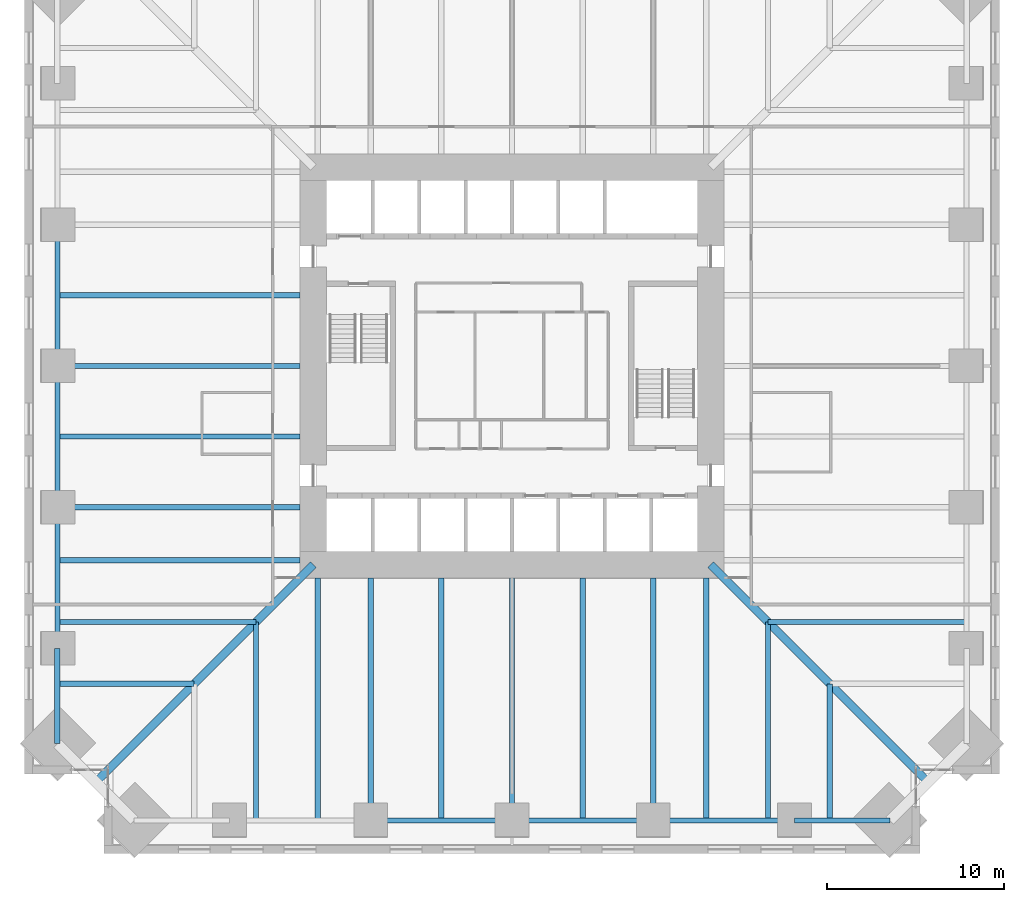
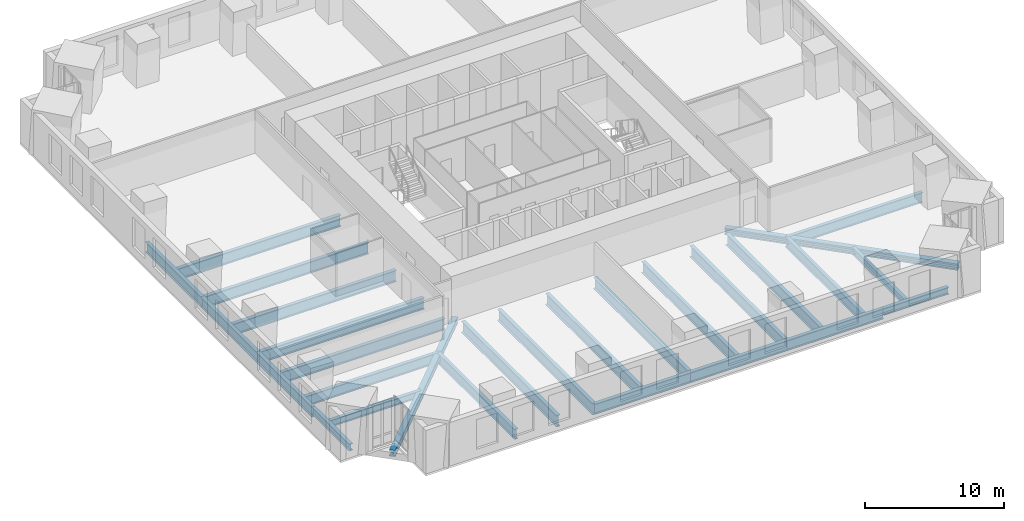
# One storey, part 3 of 16: 28 beams.
"""IFC4 building model written with IfcOpenShell, lengths in metres."""

from ifc_helpers import new_model, si_unit, direction, frame, origin, origin_2d, place, context, subcontext, project, spatial, i_section, extrude, material, material_profile, profile_set, type_object, element, save


model = new_model("IFC4")

# Units and contexts
model_context = context("Model", 3, precision=1e-05, world=origin(), true_north=direction((0.0, 1.0)))
body_context = subcontext(model_context, "Body", "Model", "MODEL_VIEW")
ifc_project = project(units=[si_unit("LENGTHUNIT", "METRE"), si_unit("AREAUNIT", "SQUARE_METRE"), si_unit("VOLUMEUNIT", "CUBIC_METRE"), si_unit("PLANEANGLEUNIT", "RADIAN"), si_unit("MASSUNIT", "GRAM", prefix="KILO")], contexts=[model_context])

# Site, building, storey
site_placement = place(None, origin())
site = spatial("IfcSite", under=ifc_project, at=site_placement, CompositionType="ELEMENT")
building_placement = place(site_placement, origin())
building = spatial("IfcBuilding", under=site, at=building_placement, Name="Peilmerk Tower", CompositionType="ELEMENT")
storey_placement = place(building_placement, frame((0.0, 0.0, 127.800048828125)))
storey = spatial("IfcBuildingStorey", under=building, at=storey_placement, Name="L25", CompositionType="ELEMENT", Elevation=127.800048828125)

# Beams
ifc_material_1 = material(Name="Steel S355", Category="steel")
ifc_material_profile_1 = material_profile(ifc_material_1, i_section(OverallWidth=0.302001953125, OverallDepth=0.909912109375, WebThickness=0.02099609375, FlangeThickness=0.0400390625, at=origin_2d()), Name="HEM 900")
ifc_profile_set_1 = profile_set([ifc_material_profile_1], Name="Steel S355")
beam_type_1 = type_object("IfcBeamType", Name="B2 HEM 900 edge beam", PredefinedType="SPANDREL", material=ifc_profile_set_1)
for number, where, z_axis, x_axis, name in (
    (1, (-8.0, -25.74365234375, -0.625), (1.0, 0.0, 0.0), (0.0, 1.0, 0.0), "Edge beam L25"),
    (2, (0.0, -25.74365234375, -0.625), (1.0, 0.0, 0.0), (0.0, 1.0, 0.0), "Edge beam L25"),
    (3, (8.0, -25.74365234375, -0.625), (1.0, 0.0, 0.0), (0.0, 1.0, 0.0), "Edge beam L25"),
    (4, (-25.74365234375, 8.0, -0.625), (0.0, -1.0, 0.0), (1.0, 0.0, 0.0), "Edge beam L25"),
    (5, (-25.74365234375, 0.0, -0.625), (0.0, -1.0, 0.0), (1.0, 0.0, 0.0), "Edge beam L25"),
    (6, (-25.74365234375, -8.0, -0.625), (0.0, -1.0, 0.0), (1.0, 0.0, 0.0), "Edge beam L25"),
):
    element("IfcBeam", number, at=place(storey_placement, frame(where, z_axis=z_axis, x_axis=x_axis)), inside=storey, type_object=beam_type_1, Name=name, PredefinedType="SPANDREL", context=body_context, shape_type="SweptSolid", body=[
        extrude(i_section(OverallWidth=0.302001953125, OverallDepth=0.909912109375, WebThickness=0.02099609375, FlangeThickness=0.0400390625, at=origin_2d()), origin(), (0.0, 0.0, 1.0), 8.0),
    ])
ifc_material_profile_2 = material_profile(ifc_material_1, i_section(OverallWidth=0.302001953125, OverallDepth=1.008056640625, WebThickness=0.02099609375, FlangeThickness=0.0400390625, at=origin_2d()), Name="HEM 1000")
ifc_profile_set_2 = profile_set([ifc_material_profile_2], Name="Steel S355")
beam_type_2 = type_object("IfcBeamType", Name="B24 HEM 1000 floor girder", PredefinedType="BEAM", material=ifc_profile_set_2)
for number, where, z_axis, x_axis, name in (
    (7, (-11.0, -12.0, -0.674072265625), (0.0, -1.0, 0.0), (1.0, 0.0, 0.0), "Floor beam L25"),
    (8, (-8.0, -12.0, -0.674072265625), (0.0, -1.0, 0.0), (1.0, 0.0, 0.0), "Floor beam L25"),
    (9, (-4.0, -12.0, -0.674072265625), (0.0, -1.0, 0.0), (1.0, 0.0, 0.0), "Floor beam L25"),
    (10, (0.0, -12.0, -0.674072265625), (0.0, -1.0, 0.0), (1.0, 0.0, 0.0), "Floor beam L25"),
    (11, (4.0, -12.0, -0.674072265625), (0.0, -1.0, 0.0), (1.0, 0.0, 0.0), "Floor beam L25"),
    (12, (8.0, -12.0, -0.674072265625), (0.0, -1.0, 0.0), (1.0, 0.0, 0.0), "Floor beam L25"),
    (13, (11.0, -12.0, -0.674072265625), (0.0, -1.0, 0.0), (1.0, 0.0, 0.0), "Floor beam L25"),
    (14, (-12.0, 4.0, -0.674072265625), (-1.0, 0.0, 0.0), (0.0, -1.0, 0.0), "Floor beam L25"),
    (15, (-12.0, 0.0, -0.674072265625), (-1.0, 0.0, 0.0), (0.0, -1.0, 0.0), "Floor beam L25"),
    (16, (-12.0, -4.0, -0.674072265625), (-1.0, 0.0, 0.0), (0.0, -1.0, 0.0), "Floor beam L25"),
    (17, (-12.0, -8.0, -0.674072265625), (-1.0, 0.0, 0.0), (0.0, -1.0, 0.0), "Floor beam L25"),
    (18, (-12.0, -11.0, -0.674072265625), (-1.0, 0.0, 0.0), (0.0, -1.0, 0.0), "Floor beam L25"),
):
    element("IfcBeam", number, at=place(storey_placement, frame(where, z_axis=z_axis, x_axis=x_axis)), inside=storey, type_object=beam_type_2, Name=name, PredefinedType="BEAM", context=body_context, shape_type="SweptSolid", body=[
        extrude(i_section(OverallWidth=0.302001953125, OverallDepth=1.008056640625, WebThickness=0.02099609375, FlangeThickness=0.0400390625, at=origin_2d()), origin(), (0.0, 0.0, 1.0), 13.74365234375),
    ])
ifc_material_profile_3 = material_profile(ifc_material_1, i_section(OverallWidth=0.300048828125, OverallDepth=0.590087890625, WebThickness=0.012939453125, FlangeThickness=0.02490234375, at=origin_2d()), Name="HEA 600")
ifc_profile_set_3 = profile_set([ifc_material_profile_3], Name="Steel S355")
beam_type_3 = type_object("IfcBeamType", Name="B27 HEA 600 floor beam", PredefinedType="BEAM", material=ifc_profile_set_3)
for number, where, z_axis, x_axis, name in (
    (19, (18.0, -18.0, -0.465087890625), (0.0, -1.0, 0.0), (1.0, 0.0, 0.0), "Floor beam L25"),
    (20, (-18.0, -18.0, -0.465087890625), (-1.0, 0.0, 0.0), (0.0, -1.0, 0.0), "Floor beam L25"),
):
    element("IfcBeam", number, at=place(storey_placement, frame(where, z_axis=z_axis, x_axis=x_axis)), inside=storey, type_object=beam_type_3, Name=name, PredefinedType="BEAM", context=body_context, shape_type="SweptSolid", body=[
        extrude(i_section(OverallWidth=0.300048828125, OverallDepth=0.590087890625, WebThickness=0.012939453125, FlangeThickness=0.02490234375, at=origin_2d()), origin(), (0.0, 0.0, 1.0), 7.74365234375),
    ])
ifc_material_profile_4 = material_profile(ifc_material_1, i_section(OverallWidth=0.304931640625, OverallDepth=0.6201171875, WebThickness=0.02099609375, FlangeThickness=0.0400390625, at=origin_2d()), Name="HEM 600")
ifc_profile_set_4 = profile_set([ifc_material_profile_4], Name="Steel S355")
beam_type_4 = type_object("IfcBeamType", Name="B31 HEM 600 edge beam", PredefinedType="SPANDREL", material=ifc_profile_set_4)
for number, where, z_axis, x_axis, name in (
    (21, (16.0, -25.74365234375, -0.47998046875), (1.0, 0.0, 0.0), (0.0, 1.0, 0.0), "Edge beam L25"),
    (22, (-25.74365234375, -16.0, -0.47998046875), (0.0, -1.0, 0.0), (1.0, 0.0, 0.0), "Edge beam L25"),
):
    element("IfcBeam", number, at=place(storey_placement, frame(where, z_axis=z_axis, x_axis=x_axis)), inside=storey, type_object=beam_type_4, Name=name, PredefinedType="SPANDREL", context=body_context, shape_type="SweptSolid", body=[
        extrude(i_section(OverallWidth=0.304931640625, OverallDepth=0.6201171875, WebThickness=0.02099609375, FlangeThickness=0.0400390625, at=origin_2d()), origin(), (0.0, 0.0, 1.0), 5.3935546875),
    ])
ifc_material_profile_5 = material_profile(ifc_material_1, i_section(OverallWidth=0.300048828125, OverallDepth=0.889892578125, WebThickness=0.01611328125, FlangeThickness=0.030029296875, at=origin_2d()), Name="HEA 900")
ifc_profile_set_5 = profile_set([ifc_material_profile_5], Name="Steel S355")
beam_type_5 = type_object("IfcBeamType", Name="B4 HEA 900 floor beam", PredefinedType="BEAM", material=ifc_profile_set_5)
for number, where, z_axis, x_axis, name in (
    (23, (14.5, -14.5, -0.614990234375), (0.0, -1.0, 0.0), (1.0, 0.0, 0.0), "Floor beam L25"),
    (24, (14.5, -14.5, -0.614990234375), (1.0, 0.0, 0.0), (0.0, 1.0, 0.0), "Floor beam L25"),
    (25, (-14.5, -14.5, -0.614990234375), (0.0, -1.0, 0.0), (1.0, 0.0, 0.0), "Floor beam L25"),
    (26, (-14.5, -14.5, -0.614990234375), (-1.0, 0.0, 0.0), (0.0, -1.0, 0.0), "Floor beam L25"),
):
    element("IfcBeam", number, at=place(storey_placement, frame(where, z_axis=z_axis, x_axis=x_axis)), inside=storey, type_object=beam_type_5, Name=name, PredefinedType="BEAM", context=body_context, shape_type="SweptSolid", body=[
        extrude(i_section(OverallWidth=0.300048828125, OverallDepth=0.889892578125, WebThickness=0.01611328125, FlangeThickness=0.030029296875, at=origin_2d()), origin(), (0.0, 0.0, 1.0), 11.24365234375),
    ])
ifc_material_2 = material(Name="Steel S460", Category="steel")
ifc_material_profile_6 = material_profile(ifc_material_2, i_section(OverallWidth=0.4541015625, OverallDepth=0.569091796875, WebThickness=0.077880859375, FlangeThickness=0.125, at=origin_2d()), Name="HD 400x1086")
ifc_profile_set_6 = profile_set([ifc_material_profile_6], Name="Steel S460")
beam_type_6 = type_object("IfcBeamType", Name="B9 HD 400x1086 corner girder", PredefinedType="BEAM", material=ifc_profile_set_6)
for number, where, z_axis, x_axis, name in (
    (27, (11.25, -11.25, -0.45458984375), (0.707106781187, -0.707106781187, 0.0), (0.707106781187, 0.707106781187, 0.0), "Corner girder L25"),
    (28, (-11.25, -11.25, -0.45458984375), (-0.707106781187, -0.707106781187, 0.0), (0.707106781187, -0.707106781187, 0.0), "Corner girder L25"),
):
    element("IfcBeam", number, at=place(storey_placement, frame(where, z_axis=z_axis, x_axis=x_axis)), inside=storey, type_object=beam_type_6, Name=name, PredefinedType="BEAM", context=body_context, shape_type="SweptSolid", body=[
        extrude(i_section(OverallWidth=0.4541015625, OverallDepth=0.569091796875, WebThickness=0.077880859375, FlangeThickness=0.125, at=origin_2d()), origin(), (0.0, 0.0, 1.0), 17.421142578125),
    ])

save(model, "model.ifc")
